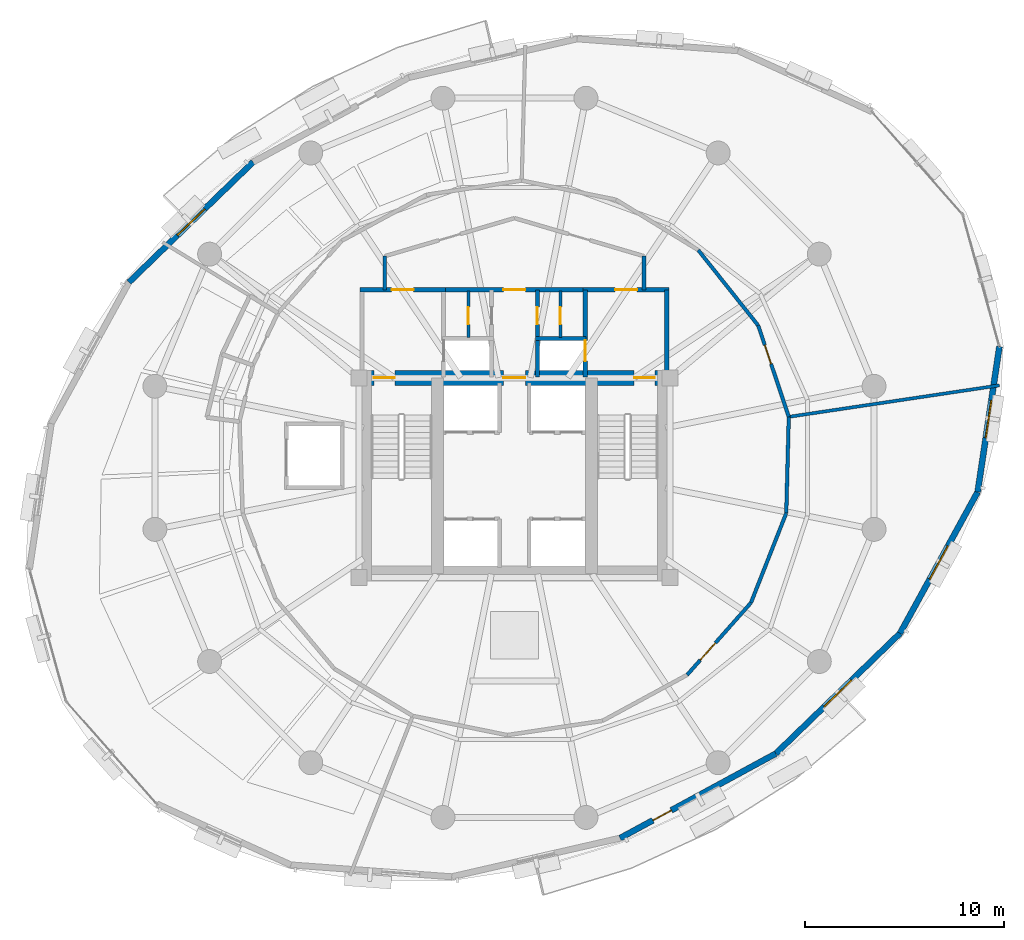
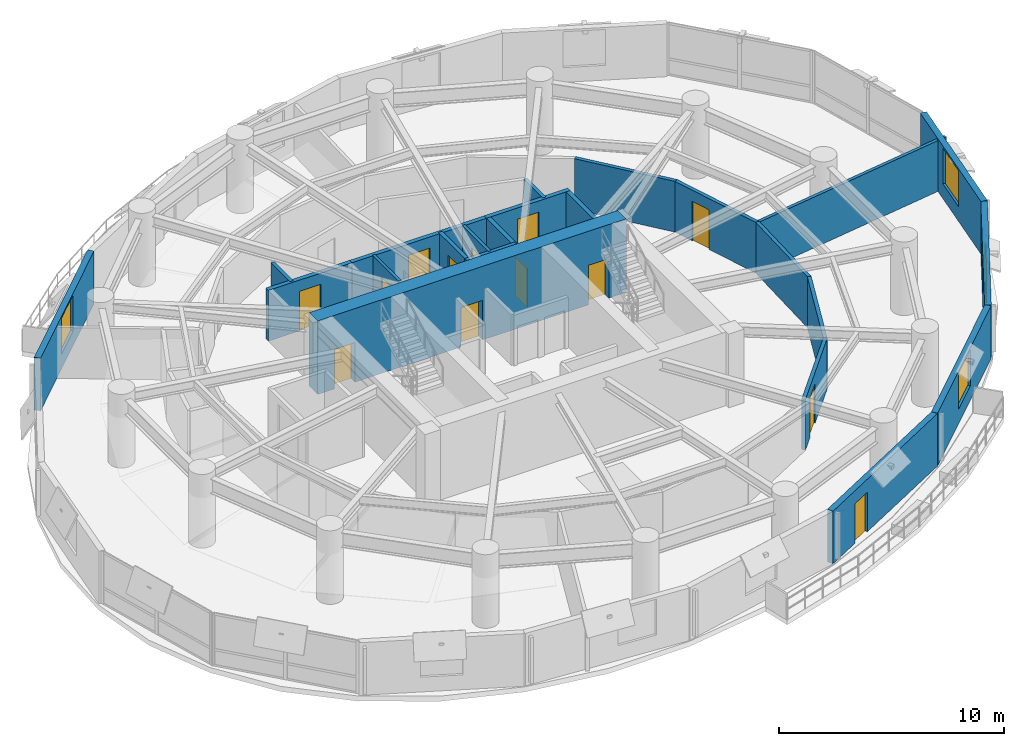
# One storey, part 9 of 12: 23 walls, 13 doors, 4 windows, 17 openings.
"""IFC4 building model written with IfcOpenShell, lengths in metres."""

from ifc_helpers import new_model, si_unit, direction, frame, frame_2d, origin, place, context, subcontext, project, spatial, rectangle, extrude, material, layer, layer_set, type_object, element, fill, save


model = new_model("IFC4")

# Units and contexts
model_context = context("Model", 3, precision=1e-05, world=origin(), true_north=direction((0.0, 1.0)))
body_context = subcontext(model_context, "Body", "Model", "MODEL_VIEW")
ifc_project = project(units=[si_unit("LENGTHUNIT", "METRE"), si_unit("AREAUNIT", "SQUARE_METRE"), si_unit("VOLUMEUNIT", "CUBIC_METRE"), si_unit("PLANEANGLEUNIT", "RADIAN"), si_unit("MASSUNIT", "GRAM", prefix="KILO"), si_unit("THERMODYNAMICTEMPERATUREUNIT", "KELVIN"), si_unit("POWERUNIT", "WATT")], contexts=[model_context])

# Site, building, storey
site_placement = place(None, origin())
site = spatial("IfcSite", under=ifc_project, at=site_placement, CompositionType="ELEMENT")
building_placement = place(site_placement, origin())
building = spatial("IfcBuilding", under=site, at=building_placement, Name="Ocrelia Relay Tower", CompositionType="ELEMENT")
storey_placement = place(building_placement, frame((0.0, 0.0, 153.800048828125)))
storey = spatial("IfcBuildingStorey", under=building, at=storey_placement, Name="L36", CompositionType="ELEMENT", Elevation=153.800048828125)

# Wall, openings, doors
ifc_material_1 = material(Name="Concrete C60/75", Category="concrete")
ifc_layer_1 = layer(ifc_material_1, 0.75, Name="Concrete C60/75")
ifc_layer_set_1 = layer_set([ifc_layer_1], Name="Concrete C60/75")
wall_type_1 = type_object("IfcWallType", Name="CW-CORE-750", PredefinedType="SHEAR", material=ifc_layer_set_1)
wall_1_placement = place(storey_placement, frame((26.072021484375, 30.012939453125, 0.0), z_axis=(0.0, 0.0, 1.0), x_axis=(1.0, 0.0, 0.0)))
wall_1 = element("IfcWall", 1, at=wall_1_placement, inside=storey, type_object=wall_type_1, Name="L36 Core Shear Wall N", PredefinedType="SHEAR", context=body_context, shape_type="SweptSolid", body=[
    extrude(rectangle(XDim=15.865966796875, YDim=0.75, at=frame_2d((7.93310546875, 0.0))), origin(), (0.0, 0.0, 1.0), 4.0),
])
opening_1_placement = place(wall_1_placement, frame((0.8779296875, 0.0, 0.0)))
opening_1 = element("IfcOpeningElement", 2, at=opening_1_placement, cuts=wall_1, Name="Opening D-FD90", PredefinedType="OPENING", context=body_context, shape_type="SweptSolid", body=[
    extrude(rectangle(XDim=1.050048828125, YDim=2.14990234375, at=frame_2d((0.52490234375, 1.074951171875))), frame((0.0, 0.385009765625, 0.0), z_axis=(0.0, -1.0, 0.0), x_axis=(1.0, 0.0, 0.0)), (0.0, 0.0, 1.0), 0.77001953125),
])
opening_2_placement = place(wall_1_placement, frame((13.927978515625, 0.0, 0.0)))
opening_2 = element("IfcOpeningElement", 3, at=opening_2_placement, cuts=wall_1, Name="Opening D-FD90", PredefinedType="OPENING", context=body_context, shape_type="SweptSolid", body=[
    extrude(rectangle(XDim=1.050048828125, YDim=2.14990234375, at=frame_2d((0.52490234375, 1.074951171875))), frame((0.0, 0.385009765625, 0.0), z_axis=(0.0, -1.0, 0.0), x_axis=(1.0, 0.0, 0.0)), (0.0, 0.0, 1.0), 0.77001953125),
])
opening_3_placement = place(wall_1_placement, frame((7.3779296875, 0.0, 0.0)))
opening_3 = element("IfcOpeningElement", 4, at=opening_3_placement, cuts=wall_1, Name="Opening D-FD60", PredefinedType="OPENING", context=body_context, shape_type="SweptSolid", body=[
    extrude(rectangle(XDim=1.10009765625, YDim=2.14990234375, at=frame_2d((0.550048828125, 1.074951171875))), frame((0.0, 0.385009765625, 0.0), z_axis=(0.0, -1.0, 0.0), x_axis=(1.0, 0.0, 0.0)), (0.0, 0.0, 1.0), 0.77001953125),
])
ifc_material_2 = material(Name="Timber-core 60-min acoustic fire door", Category="wood")
door_type_1 = type_object("IfcDoorType", Name="DR-LOBBY-FD60-1100", OperationType="NOTDEFINED", PredefinedType="DOOR", material=ifc_material_2)
door_1_placement = place(opening_3_placement, origin())
door_1 = element("IfcDoor", 5, at=door_1_placement, inside=storey, type_object=door_type_1, Name="L36 Core Lift Lobby North Fire Door", OperationType="SINGLE_SWING_RIGHT", OverallHeight=2.14990234375, OverallWidth=1.10009765625, PredefinedType="DOOR", context=body_context, shape_type="SweptSolid", body=[
    extrude(rectangle(XDim=1.10009765625, YDim=2.14990234375, at=frame_2d((0.550048828125, 1.074951171875))), frame((0.0, 0.02490234375, 0.0), z_axis=(0.0, -1.0, 0.0), x_axis=(1.0, 0.0, 0.0)), (0.0, 0.0, 1.0), 0.050048828125),
])
fill(opening_3, door_1)
ifc_material_3 = material(Name="Steel S355 90-min fire door", Category="steel")
door_type_2 = type_object("IfcDoorType", Name="DR-STAIR-FD90-1050", OperationType="NOTDEFINED", PredefinedType="DOOR", material=ifc_material_3)
door_2_placement = place(opening_1_placement, origin())
door_2 = element("IfcDoor", 6, at=door_2_placement, inside=storey, type_object=door_type_2, Name="L36 Stair ST1 Fire Door", OperationType="SINGLE_SWING_RIGHT", OverallHeight=2.14990234375, OverallWidth=1.050048828125, PredefinedType="DOOR", context=body_context, shape_type="SweptSolid", body=[
    extrude(rectangle(XDim=1.050048828125, YDim=2.14990234375, at=frame_2d((0.52490234375, 1.074951171875))), frame((0.0, 0.02490234375, 0.0), z_axis=(0.0, -1.0, 0.0), x_axis=(1.0, 0.0, 0.0)), (0.0, 0.0, 1.0), 0.050048828125),
])
fill(opening_1, door_2)
door_3_placement = place(opening_2_placement, origin())
door_3 = element("IfcDoor", 7, at=door_3_placement, inside=storey, type_object=door_type_2, Name="L36 Stair ST2 Fire Door", OperationType="SINGLE_SWING_LEFT", OverallHeight=2.14990234375, OverallWidth=1.050048828125, PredefinedType="DOOR", context=body_context, shape_type="SweptSolid", body=[
    extrude(rectangle(XDim=1.050048828125, YDim=2.14990234375, at=frame_2d((0.52490234375, 1.074951171875))), frame((0.0, 0.02490234375, 0.0), z_axis=(0.0, -1.0, 0.0), x_axis=(1.0, 0.0, 0.0)), (0.0, 0.0, 1.0), 0.050048828125),
])
fill(opening_2, door_3)

# Walls
ifc_material_4 = material(Name="Gypsum Fireboard Partition EI60", Category="gypsum")
ifc_layer_2 = layer(ifc_material_4, 0.179931640625, Name="Gypsum Fireboard Partition EI60")
ifc_layer_set_2 = layer_set([ifc_layer_2], Name="Gypsum Fireboard Partition EI60")
wall_type_2 = type_object("IfcWallType", Name="W-CORR-EI60-180", PredefinedType="PARTITIONING", material=ifc_layer_set_2)
for number, where, z_axis, x_axis, name in (
    (8, (27.5, 34.429931640625, 0.0), (0.0, 0.0, 1.0), (0.0, 1.0, 0.0), "L36 Smoke Lobby West Return"),
    (9, (40.5, 36.122802734375, 0.0), (0.0, 0.0, 1.0), (0.0, -1.0, 0.0), "L36 Smoke Lobby East Return"),
):
    element("IfcWall", number, at=place(storey_placement, frame(where, z_axis=z_axis, x_axis=x_axis)), inside=storey, type_object=wall_type_2, Name=name, PredefinedType="PARTITIONING", context=body_context, shape_type="SweptSolid", body=[
        extrude(rectangle(XDim=1.69287109375, YDim=0.179931640625, at=frame_2d((0.846435546875, 0.0))), origin(), (0.0, 0.0, 1.0), 2.760009765625),
    ])

# Wall, opening, door
wall_2_placement = place(storey_placement, frame((42.665283203125, 15.106201171875, 0.0), z_axis=(0.0, 0.0, 1.0), x_axis=(0.662663227166, 0.748917517061, 0.0)))
wall_2 = element("IfcWall", 10, at=wall_2_placement, inside=storey, type_object=wall_type_2, Name="L36 Mid-Tower Sky Lobby Corridor Partition 4", PredefinedType="PARTITIONING", context=body_context, shape_type="SweptSolid", body=[
    extrude(rectangle(XDim=4.83447265625, YDim=0.179931640625, at=frame_2d((2.417236328125, 0.0))), origin(), (0.0, 0.0, 1.0), 2.760009765625),
])
opening_4_placement = place(wall_2_placement, frame((0.99609375, 0.0, 0.0)))
opening_4 = element("IfcOpeningElement", 11, at=opening_4_placement, cuts=wall_2, Name="Opening D-RM115", PredefinedType="OPENING", context=body_context, shape_type="SweptSolid", body=[
    extrude(rectangle(XDim=1.14990234375, YDim=2.14990234375, at=frame_2d((0.574951171875, 1.074951171875))), frame((0.0, 0.10009765625, 0.0), z_axis=(0.0, -1.0, 0.0), x_axis=(1.0, 0.0, 0.0)), (0.0, 0.0, 1.0), 0.199951171875),
])
ifc_material_5 = material(Name="Wide acoustic oak veneer fire door", Category="wood")
door_type_3 = type_object("IfcDoorType", Name="DR-ROOM-1150", OperationType="NOTDEFINED", PredefinedType="DOOR", material=ifc_material_5)
door_4_placement = place(opening_4_placement, origin())
door_4 = element("IfcDoor", 12, at=door_4_placement, inside=storey, type_object=door_type_3, Name="L36 Mid-Tower Sky Lobby Entrance Door", OperationType="SINGLE_SWING_LEFT", OverallHeight=2.14990234375, OverallWidth=1.14990234375, PredefinedType="DOOR", context=body_context, shape_type="SweptSolid", body=[
    extrude(rectangle(XDim=1.14990234375, YDim=2.14990234375, at=frame_2d((0.574951171875, 1.074951171875))), frame((0.0, 0.02490234375, 0.0), z_axis=(0.0, -1.0, 0.0), x_axis=(1.0, 0.0, 0.0)), (0.0, 0.0, 1.0), 0.050048828125),
])
fill(opening_4, door_4)

# Walls
for number, where, z_axis, x_axis, name in (
    (13, (45.868896484375, 18.726806640625, 0.0), (0.0, 0.0, 1.0), (0.366483451095, 0.930424569792, 0.0), "L36 Mid-Tower Sky Lobby Corridor Partition 5"),
    (14, (47.640625, 23.224853515625, 0.0), (0.0, 0.0, 1.0), (0.026159269212, 0.999657787763, 0.0), "L36 Mid-Tower Sky Lobby Corridor Partition 6"),
):
    element("IfcWall", number, at=place(storey_placement, frame(where, z_axis=z_axis, x_axis=x_axis)), inside=storey, type_object=wall_type_2, Name=name, PredefinedType="PARTITIONING", context=body_context, shape_type="SweptSolid", body=[
        extrude(rectangle(XDim=4.83447265625, YDim=0.179931640625, at=frame_2d((2.417236328125, 0.0))), origin(), (0.0, 0.0, 1.0), 2.760009765625),
    ])

# Wall, opening, door
wall_3_placement = place(storey_placement, frame((47.76708984375, 28.0576171875, 0.0), z_axis=(0.0, 0.0, 1.0), x_axis=(-0.317303252576, 0.94832412492, 0.0)))
wall_3 = element("IfcWall", 15, at=wall_3_placement, inside=storey, type_object=wall_type_2, Name="L36 Visitor Concierge Foyer Corridor Partition 1", PredefinedType="PARTITIONING", context=body_context, shape_type="SweptSolid", body=[
    extrude(rectangle(XDim=4.834228515625, YDim=0.179931640625, at=frame_2d((2.4169921875, 0.0))), origin(), (0.0, 0.0, 1.0), 2.760009765625),
])
opening_5_placement = place(wall_3_placement, frame((2.80078125, 0.0, 0.0)))
opening_5 = element("IfcOpeningElement", 16, at=opening_5_placement, cuts=wall_3, Name="Opening D-RM100", PredefinedType="OPENING", context=body_context, shape_type="SweptSolid", body=[
    extrude(rectangle(XDim=1.0, YDim=2.14990234375, at=frame_2d((0.5, 1.074951171875))), frame((0.0, 0.10009765625, 0.0), z_axis=(0.0, -1.0, 0.0), x_axis=(1.0, 0.0, 0.0)), (0.0, 0.0, 1.0), 0.199951171875),
])
ifc_material_6 = material(Name="Acoustic oak veneer fire door", Category="wood")
door_type_4 = type_object("IfcDoorType", Name="DR-ROOM-FD60-1000", OperationType="NOTDEFINED", PredefinedType="DOOR", material=ifc_material_6)
door_5_placement = place(opening_5_placement, origin())
door_5 = element("IfcDoor", 17, at=door_5_placement, inside=storey, type_object=door_type_4, Name="L36 Visitor Concierge Foyer Entrance Door", OperationType="SINGLE_SWING_RIGHT", OverallHeight=2.14990234375, OverallWidth=1.0, PredefinedType="DOOR", context=body_context, shape_type="SweptSolid", body=[
    extrude(rectangle(XDim=1.0, YDim=2.14990234375, at=frame_2d((0.5, 1.074951171875))), frame((0.0, 0.02490234375, 0.0), z_axis=(0.0, -1.0, 0.0), x_axis=(1.0, 0.0, 0.0)), (0.0, 0.0, 1.0), 0.050048828125),
])
fill(opening_5, door_5)

# Wall
wall_4_placement = place(storey_placement, frame((46.233154296875, 32.64208984375, 0.0), z_axis=(0.0, 0.0, 1.0), x_axis=(-0.622518645174, 0.782604968302, 0.0)))
element("IfcWall", 18, at=wall_4_placement, inside=storey, type_object=wall_type_2, Name="L36 Visitor Concierge Foyer Corridor Partition 2", PredefinedType="PARTITIONING", context=body_context, shape_type="SweptSolid", body=[
    extrude(rectangle(XDim=4.83447265625, YDim=0.179931640625, at=frame_2d((2.417236328125, 0.0))), origin(), (0.0, 0.0, 1.0), 2.760009765625),
])

# Wall, opening, window
ifc_material_7 = material(Name="Precast concrete C40/50 with oxide terracotta", Category="masonry")
ifc_layer_3 = layer(ifc_material_7, 0.300048828125, Name="Precast concrete C40/50 with oxide terracotta")
ifc_layer_set_3 = layer_set([ifc_layer_3], Name="Precast concrete C40/50 with oxide terracotta")
wall_type_3 = type_object("IfcWallType", Name="W-EXT-TERR-300", PredefinedType="SOLIDWALL", material=ifc_layer_set_3)
wall_5_placement = place(storey_placement, frame((20.883056640625, 40.842041015625, 0.0), z_axis=(0.0, 0.0, 1.0), x_axis=(-0.718470984441, -0.695556931182, 0.0)))
wall_5 = element("IfcWall", 19, at=wall_5_placement, inside=storey, type_object=wall_type_3, Name="L36 Oxide Terracotta Facade Wall 06", PredefinedType="SOLIDWALL", context=body_context, shape_type="SweptSolid", body=[
    extrude(rectangle(XDim=8.6728515625, YDim=0.300048828125, at=frame_2d((4.33642578125, 0.0))), origin(), (0.0, 0.0, 1.0), 2.85986328125),
])
opening_6_placement = place(wall_5_placement, frame((3.385986328125, 0.0, 0.800048828125)))
opening_6 = element("IfcOpeningElement", 20, at=opening_6_placement, cuts=wall_5, Name="Opening W-06", PredefinedType="OPENING", context=body_context, shape_type="SweptSolid", body=[
    extrude(rectangle(XDim=1.89990234375, YDim=1.949951171875, at=frame_2d((0.949951171875, 0.97509765625))), frame((0.0, 0.16015625, 0.0), z_axis=(0.0, -1.0, 0.0), x_axis=(1.0, 0.0, 0.0)), (0.0, 0.0, 1.0), 0.320068359375),
])
ifc_material_8 = material(Name="Clear double-glazed low-E glass", Category="glass")
window_type = type_object("IfcWindowType", Name="WIN-Z2-1900x2100", PartitioningType="DOUBLE_PANEL_VERTICAL", PredefinedType="WINDOW", material=ifc_material_8)
window_1_placement = place(opening_6_placement, origin())
window_1 = element("IfcWindow", 21, at=window_1_placement, inside=storey, type_object=window_type, Name="L36 Facade Module Window 06", OverallHeight=1.949951171875, OverallWidth=1.89990234375, PartitioningType="SINGLE_PANEL", PredefinedType="WINDOW", context=body_context, shape_type="SweptSolid", body=[
    extrude(rectangle(XDim=1.89990234375, YDim=1.949951171875, at=frame_2d((0.949951171875, 0.97509765625))), frame((0.0, 0.030029296875, 0.0), z_axis=(0.0, -1.0, 0.0), x_axis=(1.0, 0.0, 0.0)), (0.0, 0.0, 1.0), 0.06005859375),
])
fill(opening_6, window_1)

# Wall, opening, door
wall_6_placement = place(storey_placement, frame((39.303466796875, 6.915771484375, 0.0), z_axis=(0.0, 0.0, 1.0), x_axis=(0.878825797179, 0.477142765022, 0.0)))
wall_6 = element("IfcWall", 22, at=wall_6_placement, inside=storey, type_object=wall_type_3, Name="L36 Oxide Terracotta Facade Wall 14", PredefinedType="SOLIDWALL", context=body_context, shape_type="SweptSolid", body=[
    extrude(rectangle(XDim=8.890869140625, YDim=0.300048828125, at=frame_2d((4.4453125, 0.0))), origin(), (0.0, 0.0, 1.0), 2.85986328125),
])
opening_7_placement = place(wall_6_placement, frame((1.8701171875, 0.0, 0.0)))
opening_7 = element("IfcOpeningElement", 23, at=opening_7_placement, cuts=wall_6, Name="Opening DB-105", PredefinedType="OPENING", context=body_context, shape_type="SweptSolid", body=[
    extrude(rectangle(XDim=1.050048828125, YDim=2.14990234375, at=frame_2d((0.52490234375, 1.074951171875))), frame((0.0, 0.16015625, 0.0), z_axis=(0.0, -1.0, 0.0), x_axis=(1.0, 0.0, 0.0)), (0.0, 0.0, 1.0), 0.320068359375),
])
ifc_material_9 = material(Name="Thermally broken aluminium and clear glass", Category="aluminium")
door_type_5 = type_object("IfcDoorType", Name="DR-BALC-1050", OperationType="NOTDEFINED", PredefinedType="DOOR", material=ifc_material_9)
door_6_placement = place(opening_7_placement, origin())
door_6 = element("IfcDoor", 24, at=door_6_placement, inside=storey, type_object=door_type_5, Name="L36 Planted Loggia Balcony Door B2", OperationType="SINGLE_SWING_LEFT", OverallHeight=2.14990234375, OverallWidth=1.050048828125, PredefinedType="DOOR", context=body_context, shape_type="SweptSolid", body=[
    extrude(rectangle(XDim=1.050048828125, YDim=2.14990234375, at=frame_2d((0.52490234375, 1.074951171875))), frame((0.0, 0.02490234375, 0.0), z_axis=(0.0, -1.0, 0.0), x_axis=(1.0, 0.0, 0.0)), (0.0, 0.0, 1.0), 0.050048828125),
])
fill(opening_7, door_6)

# Wall, opening, window
wall_7_placement = place(storey_placement, frame((47.116943359375, 11.157958984375, 0.0), z_axis=(0.0, 0.0, 1.0), x_axis=(0.718470984441, 0.695556931182, 0.0)))
wall_7 = element("IfcWall", 25, at=wall_7_placement, inside=storey, type_object=wall_type_3, Name="L36 Oxide Terracotta Facade Wall 15", PredefinedType="SOLIDWALL", context=body_context, shape_type="SweptSolid", body=[
    extrude(rectangle(XDim=8.6728515625, YDim=0.300048828125, at=frame_2d((4.33642578125, 0.0))), origin(), (0.0, 0.0, 1.0), 2.85986328125),
])
opening_8_placement = place(wall_7_placement, frame((3.385986328125, 0.0, 0.800048828125)))
opening_8 = element("IfcOpeningElement", 26, at=opening_8_placement, cuts=wall_7, Name="Opening W-06", PredefinedType="OPENING", context=body_context, shape_type="SweptSolid", body=[
    extrude(rectangle(XDim=1.89990234375, YDim=1.949951171875, at=frame_2d((0.949951171875, 0.97509765625))), frame((0.0, 0.16015625, 0.0), z_axis=(0.0, -1.0, 0.0), x_axis=(1.0, 0.0, 0.0)), (0.0, 0.0, 1.0), 0.320068359375),
])
window_2_placement = place(opening_8_placement, origin())
window_2 = element("IfcWindow", 27, at=window_2_placement, inside=storey, type_object=window_type, Name="L36 Facade Module Window 15", OverallHeight=1.949951171875, OverallWidth=1.89990234375, PartitioningType="SINGLE_PANEL", PredefinedType="WINDOW", context=body_context, shape_type="SweptSolid", body=[
    extrude(rectangle(XDim=1.89990234375, YDim=1.949951171875, at=frame_2d((0.949951171875, 0.97509765625))), frame((0.0, 0.030029296875, 0.0), z_axis=(0.0, -1.0, 0.0), x_axis=(1.0, 0.0, 0.0)), (0.0, 0.0, 1.0), 0.06005859375),
])
fill(opening_8, window_2)

wall_8_placement = place(storey_placement, frame((53.34814453125, 17.1904296875, 0.0), z_axis=(0.0, 0.0, 1.0), x_axis=(0.481489171482, 0.876452039615, 0.0)))
wall_8 = element("IfcWall", 28, at=wall_8_placement, inside=storey, type_object=wall_type_3, Name="L36 Oxide Terracotta Facade Wall 16", PredefinedType="SOLIDWALL", context=body_context, shape_type="SweptSolid", body=[
    extrude(rectangle(XDim=8.09521484375, YDim=0.300048828125, at=frame_2d((4.047607421875, 0.0))), origin(), (0.0, 0.0, 1.0), 2.85986328125),
])
opening_9_placement = place(wall_8_placement, frame((3.097900390625, 0.0, 0.800048828125)))
opening_9 = element("IfcOpeningElement", 29, at=opening_9_placement, cuts=wall_8, Name="Opening W-06", PredefinedType="OPENING", context=body_context, shape_type="SweptSolid", body=[
    extrude(rectangle(XDim=1.89990234375, YDim=1.949951171875, at=frame_2d((0.949951171875, 0.97509765625))), frame((0.0, 0.16015625, 0.0), z_axis=(0.0, -1.0, 0.0), x_axis=(1.0, 0.0, 0.0)), (0.0, 0.0, 1.0), 0.320068359375),
])
window_3_placement = place(opening_9_placement, origin())
window_3 = element("IfcWindow", 30, at=window_3_placement, inside=storey, type_object=window_type, Name="L36 Facade Module Window 16", OverallHeight=1.949951171875, OverallWidth=1.89990234375, PartitioningType="SINGLE_PANEL", PredefinedType="WINDOW", context=body_context, shape_type="SweptSolid", body=[
    extrude(rectangle(XDim=1.89990234375, YDim=1.949951171875, at=frame_2d((0.949951171875, 0.97509765625))), frame((0.0, 0.030029296875, 0.0), z_axis=(0.0, -1.0, 0.0), x_axis=(1.0, 0.0, 0.0)), (0.0, 0.0, 1.0), 0.06005859375),
])
fill(opening_9, window_3)

wall_9_placement = place(storey_placement, frame((57.245849609375, 24.285400390625, 0.0), z_axis=(0.0, 0.0, 1.0), x_axis=(0.148135101781, 0.988967133741, 0.0)))
wall_9 = element("IfcWall", 31, at=wall_9_placement, inside=storey, type_object=wall_type_3, Name="L36 Oxide Terracotta Facade Wall 17", PredefinedType="SOLIDWALL", context=body_context, shape_type="SweptSolid", body=[
    extrude(rectangle(XDim=7.383544921875, YDim=0.300048828125, at=frame_2d((3.69189453125, 0.0))), origin(), (0.0, 0.0, 1.0), 2.85986328125),
])
opening_10_placement = place(wall_9_placement, frame((2.741943359375, 0.0, 0.800048828125)))
opening_10 = element("IfcOpeningElement", 32, at=opening_10_placement, cuts=wall_9, Name="Opening W-06", PredefinedType="OPENING", context=body_context, shape_type="SweptSolid", body=[
    extrude(rectangle(XDim=1.89990234375, YDim=1.949951171875, at=frame_2d((0.949951171875, 0.97509765625))), frame((0.0, 0.16015625, 0.0), z_axis=(0.0, -1.0, 0.0), x_axis=(1.0, 0.0, 0.0)), (0.0, 0.0, 1.0), 0.320068359375),
])
window_4_placement = place(opening_10_placement, origin())
window_4 = element("IfcWindow", 33, at=window_4_placement, inside=storey, type_object=window_type, Name="L36 Facade Module Window 17", OverallHeight=1.949951171875, OverallWidth=1.89990234375, PartitioningType="SINGLE_PANEL", PredefinedType="WINDOW", context=body_context, shape_type="SweptSolid", body=[
    extrude(rectangle(XDim=1.89990234375, YDim=1.949951171875, at=frame_2d((0.949951171875, 0.97509765625))), frame((0.0, 0.030029296875, 0.0), z_axis=(0.0, -1.0, 0.0), x_axis=(1.0, 0.0, 0.0)), (0.0, 0.0, 1.0), 0.06005859375),
])
fill(opening_10, window_4)

# Wall, opening, door
ifc_material_10 = material(Name="Concrete C50/60", Category="concrete")
ifc_layer_4 = layer(ifc_material_10, 0.219970703125, Name="Concrete C50/60")
ifc_layer_set_4 = layer_set([ifc_layer_4], Name="Concrete C50/60")
wall_type_4 = type_object("IfcWallType", Name="W-FFL-EI120-220", PredefinedType="SOLIDWALL", material=ifc_layer_set_4)
wall_10_placement = place(storey_placement, frame((26.239990234375, 34.429931640625, 0.0), z_axis=(0.0, 0.0, 1.0), x_axis=(1.0, 0.0, 0.0)))
wall_10 = element("IfcWall", 34, at=wall_10_placement, inside=storey, type_object=wall_type_4, Name="L36 W Fire Service Lift Lobby North Wall", PredefinedType="SOLIDWALL", context=body_context, shape_type="SweptSolid", body=[
    extrude(rectangle(XDim=4.31005859375, YDim=0.219970703125, at=frame_2d((2.155029296875, 0.0))), origin(), (0.0, 0.0, 1.0), 2.760009765625),
])
opening_11_placement = place(wall_10_placement, frame((1.60009765625, 0.0, 0.0)))
opening_11 = element("IfcOpeningElement", 35, at=opening_11_placement, cuts=wall_10, Name="Opening D-FD60", PredefinedType="OPENING", context=body_context, shape_type="SweptSolid", body=[
    extrude(rectangle(XDim=1.10009765625, YDim=2.14990234375, at=frame_2d((0.550048828125, 1.074951171875))), frame((0.0, 0.1201171875, 0.0), z_axis=(0.0, -1.0, 0.0), x_axis=(1.0, 0.0, 0.0)), (0.0, 0.0, 1.0), 0.239990234375),
])
door_7_placement = place(opening_11_placement, origin())
door_7 = element("IfcDoor", 36, at=door_7_placement, inside=storey, type_object=door_type_1, Name="L36 W Fire Service Lift Lobby Exit Door", OperationType="SINGLE_SWING_LEFT", OverallHeight=2.14990234375, OverallWidth=1.10009765625, PredefinedType="DOOR", context=body_context, shape_type="SweptSolid", body=[
    extrude(rectangle(XDim=1.10009765625, YDim=2.14990234375, at=frame_2d((0.550048828125, 1.074951171875))), frame((0.0, 0.02490234375, 0.0), z_axis=(0.0, -1.0, 0.0), x_axis=(1.0, 0.0, 0.0)), (0.0, 0.0, 1.0), 0.050048828125),
])
fill(opening_11, door_7)

wall_11_placement = place(storey_placement, frame((37.56005859375, 30.050048828125, 0.0), z_axis=(0.0, 0.0, 1.0), x_axis=(0.0, 1.0, 0.0)))
wall_11 = element("IfcWall", 37, at=wall_11_placement, inside=storey, type_object=wall_type_4, Name="L36 E Fire Service Lift Lobby West Wall", PredefinedType="SOLIDWALL", context=body_context, shape_type="SweptSolid", body=[
    extrude(rectangle(XDim=4.3798828125, YDim=0.219970703125, at=frame_2d((2.18994140625, 0.0))), origin(), (0.0, 0.0, 1.0), 2.760009765625),
])
opening_12_placement = place(wall_11_placement, frame((0.800048828125, 0.0, 0.0)))
opening_12 = element("IfcOpeningElement", 38, at=opening_12_placement, cuts=wall_11, Name="Opening LD-FFL2", PredefinedType="OPENING", context=body_context, shape_type="SweptSolid", body=[
    extrude(rectangle(XDim=1.050048828125, YDim=2.10009765625, at=frame_2d((0.52490234375, 1.050048828125))), frame((0.0, 0.1201171875, 0.0), z_axis=(0.0, -1.0, 0.0), x_axis=(1.0, 0.0, 0.0)), (0.0, 0.0, 1.0), 0.239990234375),
])
ifc_material_11 = material(Name="Brushed stainless steel S355 lift landing door", Category="steel")
door_type_6 = type_object("IfcDoorType", Name="DR-LIFT-LAND-1050", OperationType="DOUBLE_DOOR_SLIDING", PredefinedType="USERDEFINED", material=ifc_material_11)
door_8_placement = place(opening_12_placement, origin())
door_8 = element("IfcDoor", 39, at=door_8_placement, inside=storey, type_object=door_type_6, Name="L36 Firefighting Lift FFL2 Sliding Landing Door", ObjectType="LANDING DOOR", OperationType="DOUBLE_DOOR_SLIDING", OverallHeight=2.10009765625, OverallWidth=1.050048828125, PredefinedType="USERDEFINED", context=body_context, shape_type="SweptSolid", body=[
    extrude(rectangle(XDim=1.050048828125, YDim=2.10009765625, at=frame_2d((0.52490234375, 1.050048828125))), frame((0.0, 0.02490234375, 0.0), z_axis=(0.0, -1.0, 0.0), x_axis=(1.0, 0.0, 0.0)), (0.0, 0.0, 1.0), 0.050048828125),
])
fill(opening_12, door_8)

# Wall
wall_12_placement = place(storey_placement, frame((41.64990234375, 30.050048828125, 0.0), z_axis=(0.0, 0.0, 1.0), x_axis=(0.0, 1.0, 0.0)))
element("IfcWall", 40, at=wall_12_placement, inside=storey, type_object=wall_type_4, Name="L36 E Fire Service Lift Lobby East Wall", PredefinedType="SOLIDWALL", context=body_context, shape_type="SweptSolid", body=[
    extrude(rectangle(XDim=4.3798828125, YDim=0.219970703125, at=frame_2d((2.18994140625, 0.0))), origin(), (0.0, 0.0, 1.0), 2.760009765625),
])

# Wall, opening, door
wall_13_placement = place(storey_placement, frame((37.449951171875, 34.429931640625, 0.0), z_axis=(0.0, 0.0, 1.0), x_axis=(1.0, 0.0, 0.0)))
wall_13 = element("IfcWall", 41, at=wall_13_placement, inside=storey, type_object=wall_type_4, Name="L36 E Fire Service Lift Lobby North Wall", PredefinedType="SOLIDWALL", context=body_context, shape_type="SweptSolid", body=[
    extrude(rectangle(XDim=4.31005859375, YDim=0.219970703125, at=frame_2d((2.155029296875, 0.0))), origin(), (0.0, 0.0, 1.0), 2.760009765625),
])
opening_13_placement = place(wall_13_placement, frame((1.60009765625, 0.0, 0.0)))
opening_13 = element("IfcOpeningElement", 42, at=opening_13_placement, cuts=wall_13, Name="Opening D-FD60", PredefinedType="OPENING", context=body_context, shape_type="SweptSolid", body=[
    extrude(rectangle(XDim=1.10009765625, YDim=2.14990234375, at=frame_2d((0.550048828125, 1.074951171875))), frame((0.0, 0.1201171875, 0.0), z_axis=(0.0, -1.0, 0.0), x_axis=(1.0, 0.0, 0.0)), (0.0, 0.0, 1.0), 0.239990234375),
])
door_9_placement = place(opening_13_placement, origin())
door_9 = element("IfcDoor", 43, at=door_9_placement, inside=storey, type_object=door_type_1, Name="L36 E Fire Service Lift Lobby Exit Door", OperationType="SINGLE_SWING_LEFT", OverallHeight=2.14990234375, OverallWidth=1.10009765625, PredefinedType="DOOR", context=body_context, shape_type="SweptSolid", body=[
    extrude(rectangle(XDim=1.10009765625, YDim=2.14990234375, at=frame_2d((0.550048828125, 1.074951171875))), frame((0.0, 0.02490234375, 0.0), z_axis=(0.0, -1.0, 0.0), x_axis=(1.0, 0.0, 0.0)), (0.0, 0.0, 1.0), 0.050048828125),
])
fill(opening_13, door_9)

wall_14_placement = place(storey_placement, frame((30.43994140625, 34.429931640625, 0.0), z_axis=(0.0, 0.0, 1.0), x_axis=(1.0, 0.0, 0.0)))
wall_14 = element("IfcWall", 44, at=wall_14_placement, inside=storey, type_object=wall_type_4, Name="L36 North Core Vestibule Wall", PredefinedType="SOLIDWALL", context=body_context, shape_type="SweptSolid", body=[
    extrude(rectangle(XDim=7.1201171875, YDim=0.219970703125, at=frame_2d((3.56005859375, 0.0))), origin(), (0.0, 0.0, 1.0), 2.760009765625),
])
opening_14_placement = place(wall_14_placement, frame((3.010009765625, 0.0, 0.0)))
opening_14 = element("IfcOpeningElement", 45, at=opening_14_placement, cuts=wall_14, Name="Opening D-FD60", PredefinedType="OPENING", context=body_context, shape_type="SweptSolid", body=[
    extrude(rectangle(XDim=1.10009765625, YDim=2.14990234375, at=frame_2d((0.550048828125, 1.074951171875))), frame((0.0, 0.1201171875, 0.0), z_axis=(0.0, -1.0, 0.0), x_axis=(1.0, 0.0, 0.0)), (0.0, 0.0, 1.0), 0.239990234375),
])
door_10_placement = place(opening_14_placement, origin())
door_10 = element("IfcDoor", 46, at=door_10_placement, inside=storey, type_object=door_type_1, Name="L36 North Core Vestibule Corridor Door", OperationType="SINGLE_SWING_LEFT", OverallHeight=2.14990234375, OverallWidth=1.10009765625, PredefinedType="DOOR", context=body_context, shape_type="SweptSolid", body=[
    extrude(rectangle(XDim=1.10009765625, YDim=2.14990234375, at=frame_2d((0.550048828125, 1.074951171875))), frame((0.0, 0.02490234375, 0.0), z_axis=(0.0, -1.0, 0.0), x_axis=(1.0, 0.0, 0.0)), (0.0, 0.0, 1.0), 0.050048828125),
])
fill(opening_14, door_10)

ifc_material_12 = material(Name="Acoustic Fireboard Partition EI60", Category="gypsum")
ifc_layer_5 = layer(ifc_material_12, 0.14990234375, Name="Acoustic Fireboard Partition EI60")
ifc_layer_set_5 = layer_set([ifc_layer_5], Name="Acoustic Fireboard Partition EI60")
wall_type_5 = type_object("IfcWallType", Name="W-PART-150", PredefinedType="PARTITIONING", material=ifc_layer_set_5)
wall_15_placement = place(storey_placement, frame((31.68994140625, 32.050048828125, 0.0), z_axis=(0.0, 0.0, 1.0), x_axis=(0.0, 1.0, 0.0)))
wall_15 = element("IfcWall", 47, at=wall_15_placement, inside=storey, type_object=wall_type_5, Name="L36 West Core Support Partition", PredefinedType="PARTITIONING", context=body_context, shape_type="SweptSolid", body=[
    extrude(rectangle(XDim=2.329833984375, YDim=0.14990234375, at=frame_2d((1.1650390625, 0.0))), origin(), (0.0, 0.0, 1.0), 2.760009765625),
])
opening_15_placement = place(wall_15_placement, frame((0.64990234375, 0.0, 0.0)))
opening_15 = element("IfcOpeningElement", 48, at=opening_15_placement, cuts=wall_15, Name="Opening D-RS86", PredefinedType="OPENING", context=body_context, shape_type="SweptSolid", body=[
    extrude(rectangle(XDim=0.860107421875, YDim=2.050048828125, at=frame_2d((0.43017578125, 1.02490234375))), frame((0.0, 0.0849609375, 0.0), z_axis=(0.0, -1.0, 0.0), x_axis=(1.0, 0.0, 0.0)), (0.0, 0.0, 1.0), 0.169921875),
])
ifc_material_13 = material(Name="Steel S355 riser access fire door", Category="steel")
door_type_7 = type_object("IfcDoorType", Name="DR-RISER-TRAP-860", OperationType="NOTDEFINED", PredefinedType="TRAPDOOR", material=ifc_material_13)
door_11_placement = place(opening_15_placement, origin())
door_11 = element("IfcDoor", 49, at=door_11_placement, inside=storey, type_object=door_type_7, Name="L36 West Core Store Connecting Door", OperationType="SINGLE_SWING_RIGHT", OverallHeight=2.050048828125, OverallWidth=0.860107421875, PredefinedType="TRAPDOOR", context=body_context, shape_type="SweptSolid", body=[
    extrude(rectangle(XDim=0.860107421875, YDim=2.050048828125, at=frame_2d((0.43017578125, 1.02490234375))), frame((0.0, 0.02490234375, 0.0), z_axis=(0.0, -1.0, 0.0), x_axis=(1.0, 0.0, 0.0)), (0.0, 0.0, 1.0), 0.050048828125),
])
fill(opening_15, door_11)

wall_16_placement = place(storey_placement, frame((36.31005859375, 32.050048828125, 0.0), z_axis=(0.0, 0.0, 1.0), x_axis=(0.0, 1.0, 0.0)))
wall_16 = element("IfcWall", 50, at=wall_16_placement, inside=storey, type_object=wall_type_5, Name="L36 East Core Support Partition", PredefinedType="PARTITIONING", context=body_context, shape_type="SweptSolid", body=[
    extrude(rectangle(XDim=2.329833984375, YDim=0.14990234375, at=frame_2d((1.1650390625, 0.0))), origin(), (0.0, 0.0, 1.0), 2.760009765625),
])
opening_16_placement = place(wall_16_placement, frame((0.64990234375, 0.0, 0.0)))
opening_16 = element("IfcOpeningElement", 51, at=opening_16_placement, cuts=wall_16, Name="Opening D-RS86", PredefinedType="OPENING", context=body_context, shape_type="SweptSolid", body=[
    extrude(rectangle(XDim=0.860107421875, YDim=2.050048828125, at=frame_2d((0.43017578125, 1.02490234375))), frame((0.0, 0.0849609375, 0.0), z_axis=(0.0, -1.0, 0.0), x_axis=(1.0, 0.0, 0.0)), (0.0, 0.0, 1.0), 0.169921875),
])
door_12_placement = place(opening_16_placement, origin())
door_12 = element("IfcDoor", 52, at=door_12_placement, inside=storey, type_object=door_type_7, Name="L36 East Core Store Connecting Door", OperationType="SINGLE_SWING_LEFT", OverallHeight=2.050048828125, OverallWidth=0.860107421875, PredefinedType="TRAPDOOR", context=body_context, shape_type="SweptSolid", body=[
    extrude(rectangle(XDim=0.860107421875, YDim=2.050048828125, at=frame_2d((0.43017578125, 1.02490234375))), frame((0.0, 0.02490234375, 0.0), z_axis=(0.0, -1.0, 0.0), x_axis=(1.0, 0.0, 0.0)), (0.0, 0.0, 1.0), 0.050048828125),
])
fill(opening_16, door_12)

# Walls
ifc_layer_6 = layer(ifc_material_12, 0.159912109375, Name="Acoustic Fireboard Partition EI60")
ifc_layer_set_6 = layer_set([ifc_layer_6], Name="Acoustic Fireboard Partition EI60")
wall_type_6 = type_object("IfcWallType", Name="W-PART-160", PredefinedType="PARTITIONING", material=ifc_layer_set_6)
wall_17_placement = place(storey_placement, frame((47.76708984375, 28.0576171875, 0.0), z_axis=(0.0, 0.0, 1.0), x_axis=(0.989017661242, 0.147797380734, 0.0)))
element("IfcWall", 53, at=wall_17_placement, inside=storey, type_object=wall_type_6, Name="L36 Mid-Tower Sky Lobby Radial Partition", PredefinedType="PARTITIONING", context=body_context, shape_type="SweptSolid", body=[
    extrude(rectangle(XDim=10.684326171875, YDim=0.159912109375, at=frame_2d((5.34228515625, 0.0))), origin(), (0.0, 0.0, 1.0), 2.760009765625),
])
ifc_layer_7 = layer(ifc_material_10, 0.199951171875, Name="Concrete C50/60")
ifc_layer_set_7 = layer_set([ifc_layer_7], Name="Concrete C50/60")
wall_type_7 = type_object("IfcWallType", Name="W-SHAFT-EI120-200", PredefinedType="SOLIDWALL", material=ifc_layer_set_7)
wall_18_placement = place(storey_placement, frame((35.050048828125, 32.0, 0.0), z_axis=(0.0, 0.0, 1.0), x_axis=(1.0, 0.0, 0.0)))
element("IfcWall", 54, at=wall_18_placement, inside=storey, type_object=wall_type_7, Name="L36 FFL2 Hoistway North Wall", PredefinedType="SOLIDWALL", context=body_context, shape_type="SweptSolid", body=[
    extrude(rectangle(XDim=2.550048828125, YDim=0.199951171875, at=frame_2d((1.27490234375, 0.0))), origin(), (0.0, 0.0, 1.0), 2.760009765625),
])

# Wall, opening, door
wall_19_placement = place(storey_placement, frame((35.14990234375, 30.050048828125, 0.0), z_axis=(0.0, 0.0, 1.0), x_axis=(0.0, 1.0, 0.0)))
wall_19 = element("IfcWall", 55, at=wall_19_placement, inside=storey, type_object=wall_type_7, Name="L36 FFL2 and Service Vestibule Wall", PredefinedType="SOLIDWALL", context=body_context, shape_type="SweptSolid", body=[
    extrude(rectangle(XDim=4.3798828125, YDim=0.199951171875, at=frame_2d((2.18994140625, 0.0))), origin(), (0.0, 0.0, 1.0), 2.760009765625),
])
opening_17_placement = place(wall_19_placement, frame((2.64990234375, 0.0, 0.0)))
opening_17 = element("IfcOpeningElement", 56, at=opening_17_placement, cuts=wall_19, Name="Opening D-RS86", PredefinedType="OPENING", context=body_context, shape_type="SweptSolid", body=[
    extrude(rectangle(XDim=0.860107421875, YDim=2.050048828125, at=frame_2d((0.43017578125, 1.02490234375))), frame((0.0, 0.10986328125, 0.0), z_axis=(0.0, -1.0, 0.0), x_axis=(1.0, 0.0, 0.0)), (0.0, 0.0, 1.0), 0.219970703125),
])
door_13_placement = place(opening_17_placement, origin())
door_13 = element("IfcDoor", 57, at=door_13_placement, inside=storey, type_object=door_type_7, Name="L36 Core Support Room E Door", OperationType="SINGLE_SWING_RIGHT", OverallHeight=2.050048828125, OverallWidth=0.860107421875, PredefinedType="TRAPDOOR", context=body_context, shape_type="SweptSolid", body=[
    extrude(rectangle(XDim=0.860107421875, YDim=2.050048828125, at=frame_2d((0.43017578125, 1.02490234375))), frame((0.0, 0.02490234375, 0.0), z_axis=(0.0, -1.0, 0.0), x_axis=(1.0, 0.0, 0.0)), (0.0, 0.0, 1.0), 0.050048828125),
])
fill(opening_17, door_13)

save(model, "model.ifc")
